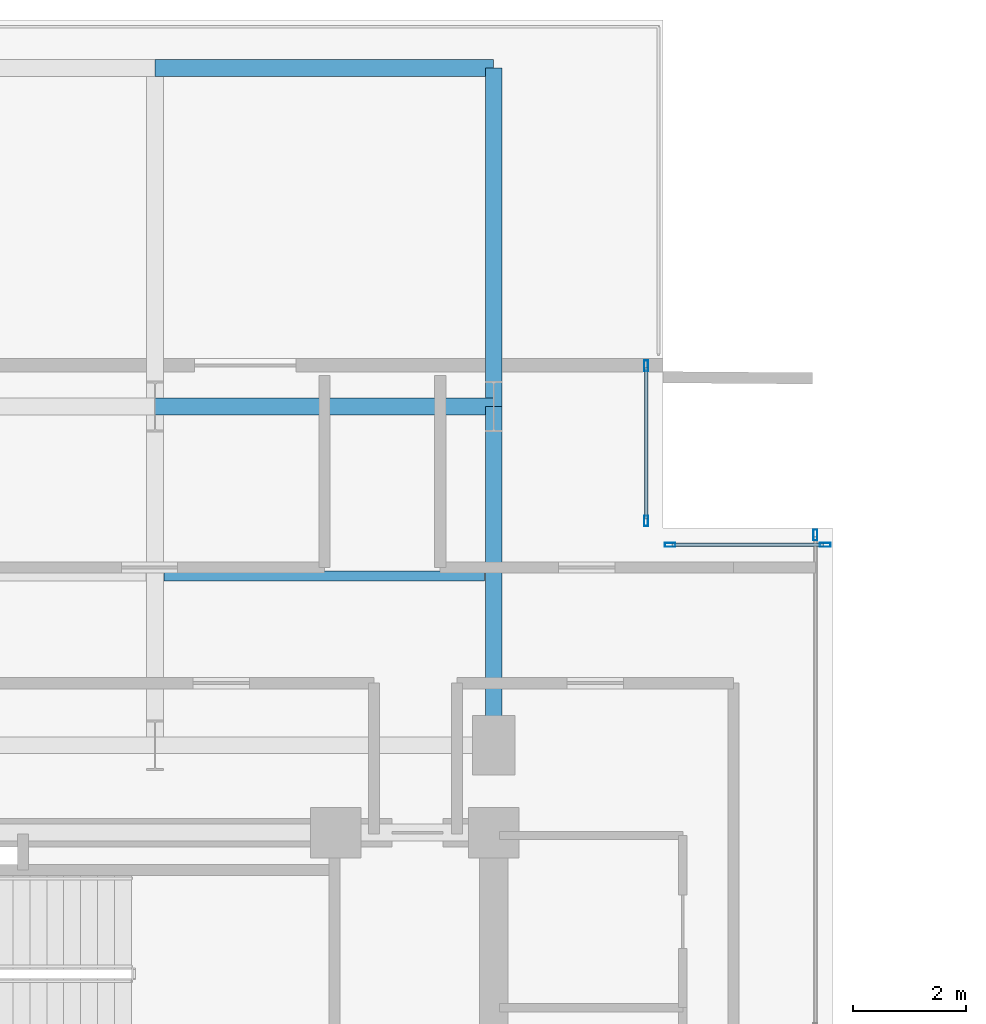
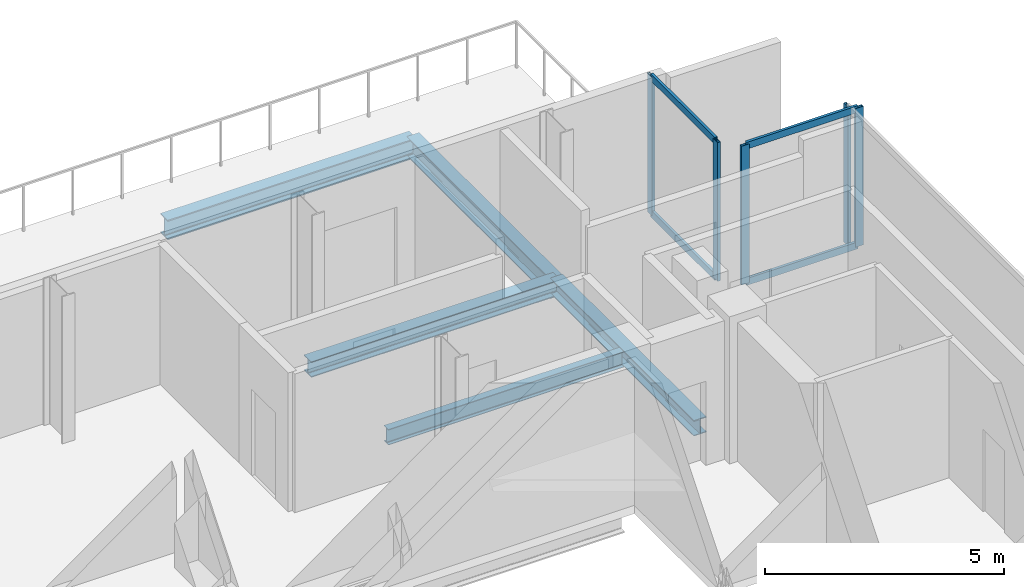
# One storey, part 16 of 28: 9 members, 5 beams, 3 elements without a shape of their own.
"""IFC4 building model written with IfcOpenShell, lengths in metres."""

from ifc_helpers import new_model, si_unit, direction, frame, origin, origin_2d, place, context, subcontext, project, spatial, hollow_rectangle, i_section, extrude, material, layer, layer_set, material_profile, profile_set, type_object, element, aggregate, save


model = new_model("IFC4")

# Units and contexts
model_context = context("Model", 3, precision=1e-05, world=origin(), true_north=direction((0.0, 1.0)))
body_context = subcontext(model_context, "Body", "Model", "MODEL_VIEW")
ifc_project = project(units=[si_unit("LENGTHUNIT", "METRE"), si_unit("AREAUNIT", "SQUARE_METRE"), si_unit("VOLUMEUNIT", "CUBIC_METRE"), si_unit("PLANEANGLEUNIT", "RADIAN"), si_unit("MASSUNIT", "GRAM", prefix="KILO"), si_unit("THERMODYNAMICTEMPERATUREUNIT", "KELVIN"), si_unit("POWERUNIT", "WATT")], contexts=[model_context])

# Site, building, storey
site_placement = place(None, origin())
site = spatial("IfcSite", under=ifc_project, at=site_placement, CompositionType="ELEMENT")
building_placement = place(site_placement, origin())
building = spatial("IfcBuilding", under=site, at=building_placement, Name="Svarakhadi Broadcast Tower", CompositionType="ELEMENT")
storey_placement = place(building_placement, frame((0.0, 0.0, 169.199951171875)))
storey = spatial("IfcBuildingStorey", under=building, at=storey_placement, Name="L41", CompositionType="ELEMENT", Elevation=169.199951171875)

# Beam
ifc_material_1 = material(Name="Steel S355J2 (IS 2062 E350C)", Category="steel")
ifc_material_profile_1 = material_profile(ifc_material_1, i_section(OverallWidth=0.179931640625, OverallDepth=0.39990234375, WebThickness=0.008544921875, FlangeThickness=0.013427734375, FilletRadius=0.02099609375, at=origin_2d()), Name="NPB 400x180x66")
ifc_profile_set_1 = profile_set([ifc_material_profile_1], Name="Steel S355J2 (IS 2062 E350C)")
beam_type_1 = type_object("IfcBeamType", Name="Beam_NPB400", PredefinedType="BEAM", material=ifc_profile_set_1)
beam_placement = place(storey_placement, frame((12.159912109375, 32.14990234375, -0.409912109375), z_axis=(1.0, 0.0, 0.0), x_axis=(0.0, 1.0, 0.0)))
element("IfcBeam", 1, at=beam_placement, inside=storey, type_object=beam_type_1, Name="L41 Secondary Composite Beam SB013", PredefinedType="BEAM", context=body_context, shape_type="SweptSolid", body=[
    extrude(i_section(OverallWidth=0.179931640625, OverallDepth=0.39990234375, WebThickness=0.008544921875, FlangeThickness=0.013427734375, FilletRadius=0.02099609375, at=origin_2d()), origin(), (0.0, 0.0, 1.0), 5.68017578125),
])

# Curtain wall, members
ifc_material_2 = material(Name="Anodised Bronze Aluminium AA 6063-T6", Category="aluminium")
ifc_layer = layer(ifc_material_2, 0.18994140625)
ifc_layer_set = layer_set([ifc_layer], Name="Anodised Bronze Aluminium AA 6063-T6")
curtain_wall_type = type_object("IfcCurtainWallType", Name="CW_Sys_04", PredefinedType="NOTDEFINED", material=ifc_layer_set)
curtain_wall_1_placement = place(storey_placement, origin())
curtain_wall_1 = element("IfcCurtainWall", 2, at=curtain_wall_1_placement, inside=storey, type_object=curtain_wall_type, Name="L41 Unitised Facade Curtain Wall 06", PredefinedType="NOTDEFINED")
ifc_material_profile_2 = material_profile(ifc_material_2, hollow_rectangle(XDim=0.070068359375, YDim=0.18994140625, WallThickness=0.005615234375, at=origin_2d()), Name="ALU MULLION 190x70x6")
ifc_profile_set_2 = profile_set([ifc_material_profile_2], Name="Anodised Bronze Aluminium AA 6063-T6")
member_type_1 = type_object("IfcMemberType", Name="CW_Sys_04_Mul", PredefinedType="MULLION", material=ifc_profile_set_2)
member_1_placement = place(storey_placement, frame((20.699951171875, 35.875, 0.0), z_axis=(0.0, 0.0, 1.0), x_axis=(1.0, 0.0, 0.0)))
member_1 = element("IfcMember", 3, at=member_1_placement, type_object=member_type_1, Name="CW-04 mullion 1", PredefinedType="MULLION", context=body_context, shape_type="SweptSolid", body=[
    extrude(hollow_rectangle(XDim=0.070068359375, YDim=0.18994140625, WallThickness=0.005615234375, at=origin_2d()), origin(), (0.0, 0.0, 1.0), 3.5400390625),
])
member_2_placement = place(storey_placement, frame((20.699951171875, 33.125, 0.0), z_axis=(0.0, 0.0, 1.0), x_axis=(1.0, 0.0, 0.0)))
member_2 = element("IfcMember", 4, at=member_2_placement, type_object=member_type_1, Name="CW-04 mullion 2", PredefinedType="MULLION", context=body_context, shape_type="SweptSolid", body=[
    extrude(hollow_rectangle(XDim=0.070068359375, YDim=0.18994140625, WallThickness=0.005615234375, at=origin_2d()), origin(), (0.0, 0.0, 1.0), 3.5400390625),
])

curtain_wall_2_placement = place(storey_placement, origin())
curtain_wall_2 = element("IfcCurtainWall", 5, at=curtain_wall_2_placement, inside=storey, type_object=curtain_wall_type, Name="L41 Unitised Facade Curtain Wall 07", PredefinedType="NOTDEFINED")
member_3_placement = place(storey_placement, frame((21.125, 32.699951171875, 0.0), z_axis=(0.0, 0.0, 1.0), x_axis=(0.0, 1.0, 0.0)))
member_3 = element("IfcMember", 6, at=member_3_placement, type_object=member_type_1, Name="CW-04 mullion 1", PredefinedType="MULLION", context=body_context, shape_type="SweptSolid", body=[
    extrude(hollow_rectangle(XDim=0.070068359375, YDim=0.18994140625, WallThickness=0.005615234375, at=origin_2d()), origin(), (0.0, 0.0, 1.0), 3.5400390625),
])
member_4_placement = place(storey_placement, frame((23.875, 32.699951171875, 0.0), z_axis=(0.0, 0.0, 1.0), x_axis=(0.0, 1.0, 0.0)))
member_4 = element("IfcMember", 7, at=member_4_placement, type_object=member_type_1, Name="CW-04 mullion 2", PredefinedType="MULLION", context=body_context, shape_type="SweptSolid", body=[
    extrude(hollow_rectangle(XDim=0.070068359375, YDim=0.18994140625, WallThickness=0.005615234375, at=origin_2d()), origin(), (0.0, 0.0, 1.0), 3.5400390625),
])

# Curtain wall, member
curtain_wall_3_placement = place(storey_placement, origin())
curtain_wall_3 = element("IfcCurtainWall", 8, at=curtain_wall_3_placement, inside=storey, type_object=curtain_wall_type, Name="L41 Unitised Facade Curtain Wall 08", PredefinedType="NOTDEFINED")
member_5_placement = place(storey_placement, frame((23.699951171875, 32.875, 0.0), z_axis=(0.0, 0.0, 1.0), x_axis=(1.0, 0.0, 0.0)))
member_5 = element("IfcMember", 9, at=member_5_placement, type_object=member_type_1, Name="CW-04 mullion 1", PredefinedType="MULLION", context=body_context, shape_type="SweptSolid", body=[
    extrude(hollow_rectangle(XDim=0.070068359375, YDim=0.18994140625, WallThickness=0.005615234375, at=origin_2d()), origin(), (0.0, 0.0, 1.0), 3.5400390625),
])
aggregate(curtain_wall_3, [member_5])

# Member
ifc_material_profile_3 = material_profile(ifc_material_2, hollow_rectangle(XDim=0.06494140625, YDim=0.175048828125, WallThickness=0.0048828125, at=origin_2d()), Name="ALU TRANSOM 175x65x5")
ifc_profile_set_3 = profile_set([ifc_material_profile_3], Name="Anodised Bronze Aluminium AA 6063-T6")
member_type_2 = type_object("IfcMemberType", Name="CW_Sys_04_Trn", PredefinedType="USERDEFINED", material=ifc_profile_set_3)
member_6_placement = place(storey_placement, frame((20.699951171875, 35.840087890625, 0.032470703125), z_axis=(0.0, -1.0, 0.0), x_axis=(1.0, 0.0, 0.0)))
member_6 = element("IfcMember", 10, at=member_6_placement, type_object=member_type_2, Name="CW-04 transom 1.1", ObjectType="TRANSOM", PredefinedType="USERDEFINED", context=body_context, shape_type="SweptSolid", body=[
    extrude(hollow_rectangle(XDim=0.06494140625, YDim=0.175048828125, WallThickness=0.0048828125, at=origin_2d()), origin(), (0.0, 0.0, 1.0), 2.68017578125),
])

member_7_placement = place(storey_placement, frame((20.699951171875, 35.840087890625, 3.507568359375), z_axis=(0.0, -1.0, 0.0), x_axis=(1.0, 0.0, 0.0)))
member_7 = element("IfcMember", 11, at=member_7_placement, type_object=member_type_2, Name="CW-04 transom 1.2", ObjectType="TRANSOM", PredefinedType="USERDEFINED", context=body_context, shape_type="SweptSolid", body=[
    extrude(hollow_rectangle(XDim=0.06494140625, YDim=0.175048828125, WallThickness=0.0048828125, at=origin_2d()), origin(), (0.0, 0.0, 1.0), 2.68017578125),
])

aggregate(curtain_wall_1, [member_1, member_2, member_6, member_7])

member_8_placement = place(storey_placement, frame((21.159912109375, 32.699951171875, 0.032470703125), z_axis=(1.0, 0.0, 0.0), x_axis=(0.0, 1.0, 0.0)))
member_8 = element("IfcMember", 12, at=member_8_placement, type_object=member_type_2, Name="CW-04 transom 1.1", ObjectType="TRANSOM", PredefinedType="USERDEFINED", context=body_context, shape_type="SweptSolid", body=[
    extrude(hollow_rectangle(XDim=0.06494140625, YDim=0.175048828125, WallThickness=0.0048828125, at=origin_2d()), origin(), (0.0, 0.0, 1.0), 2.68017578125),
])

member_9_placement = place(storey_placement, frame((21.159912109375, 32.699951171875, 3.507568359375), z_axis=(1.0, 0.0, 0.0), x_axis=(0.0, 1.0, 0.0)))
member_9 = element("IfcMember", 13, at=member_9_placement, type_object=member_type_2, Name="CW-04 transom 1.2", ObjectType="TRANSOM", PredefinedType="USERDEFINED", context=body_context, shape_type="SweptSolid", body=[
    extrude(hollow_rectangle(XDim=0.06494140625, YDim=0.175048828125, WallThickness=0.0048828125, at=origin_2d()), origin(), (0.0, 0.0, 1.0), 2.68017578125),
])

aggregate(curtain_wall_2, [member_3, member_4, member_8, member_9])

# Beams
ifc_material_profile_4 = material_profile(ifc_material_1, i_section(OverallWidth=0.300048828125, OverallDepth=0.39990234375, WebThickness=0.013427734375, FlangeThickness=0.02392578125, FilletRadius=0.027099609375, at=origin_2d()), Name="WPB 400x300x155")
ifc_profile_set_4 = profile_set([ifc_material_profile_4], Name="Steel S355J2 (IS 2062 E350C)")
beam_type_2 = type_object("IfcBeamType", Name="Girder_WPB400", PredefinedType="USERDEFINED", material=ifc_profile_set_4)
for number, where, z_axis, x_axis, name in (
    (14, (12.0, 35.14990234375, -0.409912109375), (1.0, 0.0, 0.0), (0.0, 1.0, 0.0), "L41 Primary E-W Girder G034"),
    (15, (18.0, 29.14990234375, -0.409912109375), (0.0, 1.0, 0.0), (-1.0, 0.0, 0.0), "L41 Primary N-S Girder G053"),
):
    element("IfcBeam", number, at=place(storey_placement, frame(where, z_axis=z_axis, x_axis=x_axis)), inside=storey, type_object=beam_type_2, Name=name, ObjectType="GIRDER", PredefinedType="USERDEFINED", context=body_context, shape_type="SweptSolid", body=[
        extrude(i_section(OverallWidth=0.300048828125, OverallDepth=0.39990234375, WebThickness=0.013427734375, FlangeThickness=0.02392578125, FilletRadius=0.027099609375, at=origin_2d()), origin(), (0.0, 0.0, 1.0), 6.0),
    ])
ifc_material_profile_5 = material_profile(ifc_material_1, i_section(OverallWidth=0.300048828125, OverallDepth=0.5, WebThickness=0.014404296875, FlangeThickness=0.028076171875, FilletRadius=0.027099609375, at=origin_2d()), Name="WPB 500x300x187")
ifc_profile_set_5 = profile_set([ifc_material_profile_5], Name="Steel S355J2 (IS 2062 E350C)")
beam_type_3 = type_object("IfcBeamType", Name="Girder_WPB500", PredefinedType="USERDEFINED", material=ifc_profile_set_5)
for number, where, z_axis, x_axis, name in (
    (16, (18.0, 35.14990234375, -0.489990234375), (0.0, 1.0, 0.0), (-1.0, 0.0, 0.0), "L41 North Setback Terrace Bearer Girder"),
    (17, (12.0, 41.14990234375, -0.489990234375), (1.0, 0.0, 0.0), (0.0, 1.0, 0.0), "L41 North Setback Terrace Rim Girder 2"),
):
    element("IfcBeam", number, at=place(storey_placement, frame(where, z_axis=z_axis, x_axis=x_axis)), inside=storey, type_object=beam_type_3, Name=name, ObjectType="GIRDER", PredefinedType="USERDEFINED", context=body_context, shape_type="SweptSolid", body=[
        extrude(i_section(OverallWidth=0.300048828125, OverallDepth=0.5, WebThickness=0.014404296875, FlangeThickness=0.028076171875, FilletRadius=0.027099609375, at=origin_2d()), origin(), (0.0, 0.0, 1.0), 6.0),
    ])

save(model, "model.ifc")
